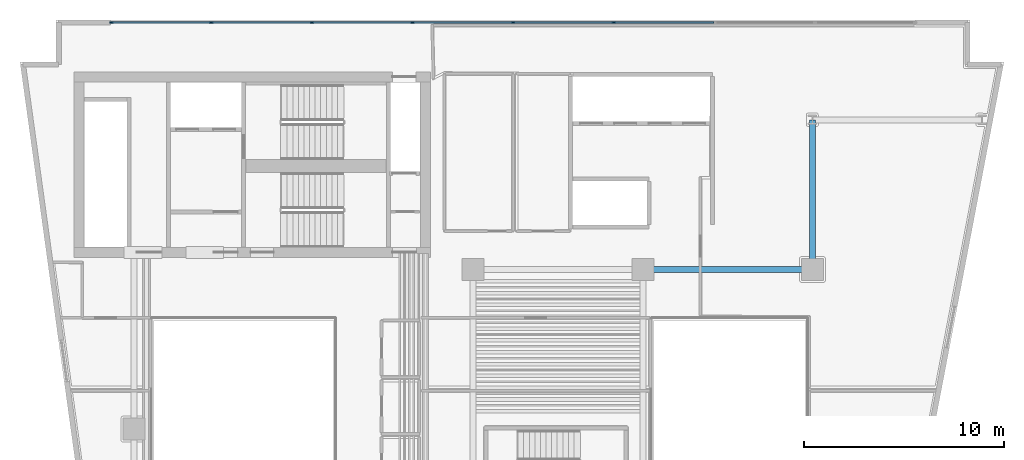
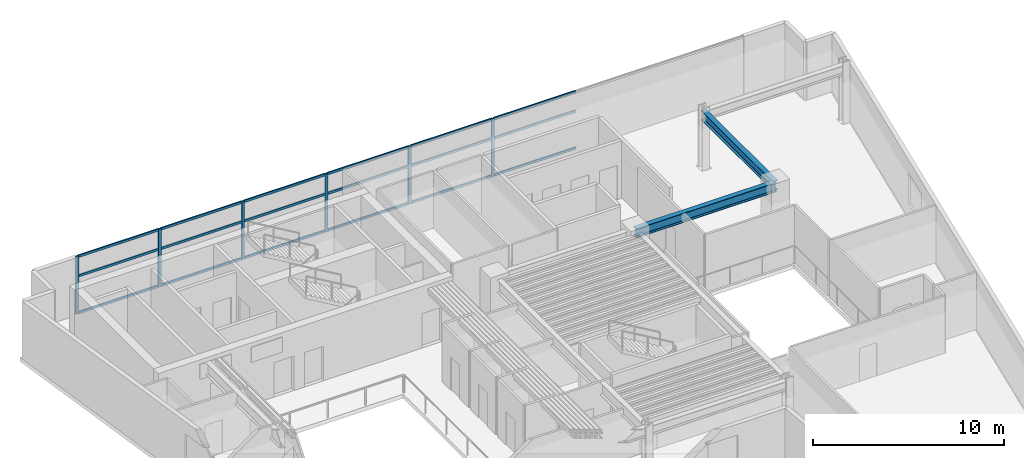
# One storey, part 3 of 13: 24 members, 2 beams, 1 element without a shape of its own.
"""IFC4 building model written with IfcOpenShell, lengths in metres."""

from ifc_helpers import new_model, si_unit, direction, frame, origin, origin_2d, place, context, subcontext, project, spatial, rectangle, i_section, extrude, material, layer, layer_set, material_profile, profile_set, type_object, element, aggregate, save


model = new_model("IFC4")

# Units and contexts
model_context = context("Model", 3, precision=1e-05, world=origin(), true_north=direction((0.0, 1.0)))
body_context = subcontext(model_context, "Body", "Model", "MODEL_VIEW")
ifc_project = project(units=[si_unit("LENGTHUNIT", "METRE"), si_unit("AREAUNIT", "SQUARE_METRE"), si_unit("VOLUMEUNIT", "CUBIC_METRE"), si_unit("PLANEANGLEUNIT", "RADIAN"), si_unit("MASSUNIT", "GRAM", prefix="KILO")], contexts=[model_context])

# Site, building, storey
site_placement = place(None, origin())
site = spatial("IfcSite", under=ifc_project, at=site_placement, CompositionType="ELEMENT")
building_placement = place(site_placement, origin())
building = spatial("IfcBuilding", under=site, at=building_placement, Name="Caeloran Harvest Quay", CompositionType="ELEMENT")
storey_placement = place(building_placement, frame((0.0, 0.0, 139.050048828125)))
storey = spatial("IfcBuildingStorey", under=building, at=storey_placement, Name="L32", CompositionType="ELEMENT", Elevation=139.050048828125)

# Beams
ifc_material_1 = material(Name="Steel S355J2", Category="steel")
ifc_material_profile_1 = material_profile(ifc_material_1, i_section(OverallWidth=0.300048828125, OverallDepth=0.60009765625, WebThickness=0.015380859375, FlangeThickness=0.030029296875, FilletRadius=0.027099609375, at=origin_2d()), Name="HE 600 B")
ifc_profile_set_1 = profile_set([ifc_material_profile_1], Name="Steel S355J2")
beam_type = type_object("IfcBeamType", Name="BM-PG-3-HE_600_B", PredefinedType="BEAM", material=ifc_profile_set_1)
beam_1_placement = place(storey_placement, frame((34.0, 31.0, 3.389892578125), z_axis=(1.0, 0.0, 0.0), x_axis=(0.0, 1.0, 0.0)))
element("IfcBeam", 1, at=beam_1_placement, inside=storey, type_object=beam_type, Name="L32 Primary East-West Girder Y=31.0", PredefinedType="BEAM", context=body_context, shape_type="SweptSolid", body=[
    extrude(i_section(OverallWidth=0.300048828125, OverallDepth=0.60009765625, WebThickness=0.015380859375, FlangeThickness=0.030029296875, FilletRadius=0.027099609375, at=origin_2d()), origin(), (0.0, 0.0, 1.0), 8.5),
])
beam_2_placement = place(storey_placement, frame((42.5, 31.0, 3.389892578125), z_axis=(0.0, 1.0, 0.0), x_axis=(-1.0, 0.0, 0.0)))
element("IfcBeam", 2, at=beam_2_placement, inside=storey, type_object=beam_type, Name="L32 Primary North-South Girder X=42.5", PredefinedType="BEAM", context=body_context, shape_type="SweptSolid", body=[
    extrude(i_section(OverallWidth=0.300048828125, OverallDepth=0.60009765625, WebThickness=0.015380859375, FlangeThickness=0.030029296875, FilletRadius=0.027099609375, at=origin_2d()), origin(), (0.0, 0.0, 1.0), 7.5),
])

# Curtain wall, members
ifc_material_2 = material(Name="Aluminium 6063-T6 and Low-E Glazing", Category="aluminium")
ifc_layer = layer(ifc_material_2, 0.18994140625, Name="Aluminium 6063-T6 and Low-E Glazing")
ifc_layer_set = layer_set([ifc_layer], Name="Aluminium 6063-T6 and Low-E Glazing")
curtain_wall_type = type_object("IfcCurtainWallType", Name="CW-SYS-CW-3", PredefinedType="USERDEFINED", material=ifc_layer_set)
curtain_wall_placement = place(storey_placement, origin())
curtain_wall = element("IfcCurtainWall", 3, at=curtain_wall_placement, inside=storey, type_object=curtain_wall_type, Name="L32 Unitised Curtain Wall CW-3 Run 6", ObjectType="CURTAIN_WALL", PredefinedType="USERDEFINED")
ifc_material_3 = material(Name="Aluminium 6063-T6", Category="aluminium")
ifc_material_profile_2 = material_profile(ifc_material_3, rectangle(XDim=0.080078125, YDim=0.179931640625, at=origin_2d()), Name="CW-MULLION-180")
ifc_profile_set_2 = profile_set([ifc_material_profile_2], Name="Aluminium 6063-T6")
member_type_1 = type_object("IfcMemberType", Name="CW-MULLION-180", PredefinedType="MULLION", material=ifc_profile_set_2)
member_1_placement = place(storey_placement, frame((7.3701171875, 43.3701171875, 0.0), z_axis=(0.0, 0.0, 1.0), x_axis=(0.0, 1.0, 0.0)))
member_1 = element("IfcMember", 4, at=member_1_placement, type_object=member_type_1, Name="CW-3 mullion 1", PredefinedType="MULLION", context=body_context, shape_type="SweptSolid", body=[
    extrude(rectangle(XDim=0.080078125, YDim=0.179931640625, at=origin_2d()), origin(), (0.0, 0.0, 1.0), 3.68994140625),
])
member_2_placement = place(storey_placement, frame((12.37255859375, 43.3701171875, 0.0), z_axis=(0.0, 0.0, 1.0), x_axis=(0.0, 1.0, 0.0)))
member_2 = element("IfcMember", 5, at=member_2_placement, type_object=member_type_1, Name="CW-3 mullion 2", PredefinedType="MULLION", context=body_context, shape_type="SweptSolid", body=[
    extrude(rectangle(XDim=0.080078125, YDim=0.179931640625, at=origin_2d()), origin(), (0.0, 0.0, 1.0), 3.68994140625),
])
member_3_placement = place(storey_placement, frame((17.4150390625, 43.3701171875, 0.0), z_axis=(0.0, 0.0, 1.0), x_axis=(0.0, 1.0, 0.0)))
member_3 = element("IfcMember", 6, at=member_3_placement, type_object=member_type_1, Name="CW-3 mullion 3", PredefinedType="MULLION", context=body_context, shape_type="SweptSolid", body=[
    extrude(rectangle(XDim=0.080078125, YDim=0.179931640625, at=origin_2d()), origin(), (0.0, 0.0, 1.0), 3.68994140625),
])
member_4_placement = place(storey_placement, frame((22.45751953125, 43.3701171875, 0.0), z_axis=(0.0, 0.0, 1.0), x_axis=(0.0, 1.0, 0.0)))
member_4 = element("IfcMember", 7, at=member_4_placement, type_object=member_type_1, Name="CW-3 mullion 4", PredefinedType="MULLION", context=body_context, shape_type="SweptSolid", body=[
    extrude(rectangle(XDim=0.080078125, YDim=0.179931640625, at=origin_2d()), origin(), (0.0, 0.0, 1.0), 3.68994140625),
])
member_5_placement = place(storey_placement, frame((27.5, 43.3701171875, 0.0), z_axis=(0.0, 0.0, 1.0), x_axis=(0.0, 1.0, 0.0)))
member_5 = element("IfcMember", 8, at=member_5_placement, type_object=member_type_1, Name="CW-3 mullion 5", PredefinedType="MULLION", context=body_context, shape_type="SweptSolid", body=[
    extrude(rectangle(XDim=0.080078125, YDim=0.179931640625, at=origin_2d()), origin(), (0.0, 0.0, 1.0), 3.68994140625),
])
member_6_placement = place(storey_placement, frame((32.54248046875, 43.3701171875, 0.0), z_axis=(0.0, 0.0, 1.0), x_axis=(0.0, 1.0, 0.0)))
member_6 = element("IfcMember", 9, at=member_6_placement, type_object=member_type_1, Name="CW-3 mullion 6", PredefinedType="MULLION", context=body_context, shape_type="SweptSolid", body=[
    extrude(rectangle(XDim=0.080078125, YDim=0.179931640625, at=origin_2d()), origin(), (0.0, 0.0, 1.0), 3.68994140625),
])
ifc_material_profile_3 = material_profile(ifc_material_3, rectangle(XDim=0.080078125, YDim=0.14990234375, at=origin_2d()), Name="CW-TRANSOM-150")
ifc_profile_set_3 = profile_set([ifc_material_profile_3], Name="Aluminium 6063-T6")
member_type_2 = type_object("IfcMemberType", Name="CW-TRANSOM-150", PredefinedType="USERDEFINED", material=ifc_profile_set_3)
member_7_placement = place(storey_placement, frame((7.409912109375, 43.3701171875, 0.0400390625), z_axis=(1.0, 0.0, 0.0), x_axis=(0.0, 1.0, 0.0)))
member_7 = element("IfcMember", 10, at=member_7_placement, type_object=member_type_2, Name="CW-3 transom 1.1", ObjectType="TRANSOM", PredefinedType="USERDEFINED", context=body_context, shape_type="SweptSolid", body=[
    extrude(rectangle(XDim=0.080078125, YDim=0.14990234375, at=origin_2d()), origin(), (0.0, 0.0, 1.0), 4.922607421875),
])
member_8_placement = place(storey_placement, frame((7.409912109375, 43.3701171875, 2.39990234375), z_axis=(1.0, 0.0, 0.0), x_axis=(0.0, 1.0, 0.0)))
member_8 = element("IfcMember", 11, at=member_8_placement, type_object=member_type_2, Name="CW-3 transom 1.2", ObjectType="TRANSOM", PredefinedType="USERDEFINED", context=body_context, shape_type="SweptSolid", body=[
    extrude(rectangle(XDim=0.080078125, YDim=0.14990234375, at=origin_2d()), origin(), (0.0, 0.0, 1.0), 4.922607421875),
])
member_9_placement = place(storey_placement, frame((7.409912109375, 43.3701171875, 3.64990234375), z_axis=(1.0, 0.0, 0.0), x_axis=(0.0, 1.0, 0.0)))
member_9 = element("IfcMember", 12, at=member_9_placement, type_object=member_type_2, Name="CW-3 transom 1.3", ObjectType="TRANSOM", PredefinedType="USERDEFINED", context=body_context, shape_type="SweptSolid", body=[
    extrude(rectangle(XDim=0.080078125, YDim=0.14990234375, at=origin_2d()), origin(), (0.0, 0.0, 1.0), 4.922607421875),
])
member_10_placement = place(storey_placement, frame((12.41259765625, 43.3701171875, 0.0400390625), z_axis=(1.0, 0.0, 0.0), x_axis=(0.0, 1.0, 0.0)))
member_10 = element("IfcMember", 13, at=member_10_placement, type_object=member_type_2, Name="CW-3 transom 2.1", ObjectType="TRANSOM", PredefinedType="USERDEFINED", context=body_context, shape_type="SweptSolid", body=[
    extrude(rectangle(XDim=0.080078125, YDim=0.14990234375, at=origin_2d()), origin(), (0.0, 0.0, 1.0), 4.96240234375),
])
member_11_placement = place(storey_placement, frame((12.41259765625, 43.3701171875, 2.39990234375), z_axis=(1.0, 0.0, 0.0), x_axis=(0.0, 1.0, 0.0)))
member_11 = element("IfcMember", 14, at=member_11_placement, type_object=member_type_2, Name="CW-3 transom 2.2", ObjectType="TRANSOM", PredefinedType="USERDEFINED", context=body_context, shape_type="SweptSolid", body=[
    extrude(rectangle(XDim=0.080078125, YDim=0.14990234375, at=origin_2d()), origin(), (0.0, 0.0, 1.0), 4.96240234375),
])
member_12_placement = place(storey_placement, frame((12.41259765625, 43.3701171875, 3.64990234375), z_axis=(1.0, 0.0, 0.0), x_axis=(0.0, 1.0, 0.0)))
member_12 = element("IfcMember", 15, at=member_12_placement, type_object=member_type_2, Name="CW-3 transom 2.3", ObjectType="TRANSOM", PredefinedType="USERDEFINED", context=body_context, shape_type="SweptSolid", body=[
    extrude(rectangle(XDim=0.080078125, YDim=0.14990234375, at=origin_2d()), origin(), (0.0, 0.0, 1.0), 4.96240234375),
])
member_13_placement = place(storey_placement, frame((17.455078125, 43.3701171875, 0.0400390625), z_axis=(1.0, 0.0, 0.0), x_axis=(0.0, 1.0, 0.0)))
member_13 = element("IfcMember", 16, at=member_13_placement, type_object=member_type_2, Name="CW-3 transom 3.1", ObjectType="TRANSOM", PredefinedType="USERDEFINED", context=body_context, shape_type="SweptSolid", body=[
    extrude(rectangle(XDim=0.080078125, YDim=0.14990234375, at=origin_2d()), origin(), (0.0, 0.0, 1.0), 4.96240234375),
])
member_14_placement = place(storey_placement, frame((17.455078125, 43.3701171875, 2.39990234375), z_axis=(1.0, 0.0, 0.0), x_axis=(0.0, 1.0, 0.0)))
member_14 = element("IfcMember", 17, at=member_14_placement, type_object=member_type_2, Name="CW-3 transom 3.2", ObjectType="TRANSOM", PredefinedType="USERDEFINED", context=body_context, shape_type="SweptSolid", body=[
    extrude(rectangle(XDim=0.080078125, YDim=0.14990234375, at=origin_2d()), origin(), (0.0, 0.0, 1.0), 4.96240234375),
])
member_15_placement = place(storey_placement, frame((17.455078125, 43.3701171875, 3.64990234375), z_axis=(1.0, 0.0, 0.0), x_axis=(0.0, 1.0, 0.0)))
member_15 = element("IfcMember", 18, at=member_15_placement, type_object=member_type_2, Name="CW-3 transom 3.3", ObjectType="TRANSOM", PredefinedType="USERDEFINED", context=body_context, shape_type="SweptSolid", body=[
    extrude(rectangle(XDim=0.080078125, YDim=0.14990234375, at=origin_2d()), origin(), (0.0, 0.0, 1.0), 4.96240234375),
])
member_16_placement = place(storey_placement, frame((22.49755859375, 43.3701171875, 0.0400390625), z_axis=(1.0, 0.0, 0.0), x_axis=(0.0, 1.0, 0.0)))
member_16 = element("IfcMember", 19, at=member_16_placement, type_object=member_type_2, Name="CW-3 transom 4.1", ObjectType="TRANSOM", PredefinedType="USERDEFINED", context=body_context, shape_type="SweptSolid", body=[
    extrude(rectangle(XDim=0.080078125, YDim=0.14990234375, at=origin_2d()), origin(), (0.0, 0.0, 1.0), 4.96240234375),
])
member_17_placement = place(storey_placement, frame((22.49755859375, 43.3701171875, 2.39990234375), z_axis=(1.0, 0.0, 0.0), x_axis=(0.0, 1.0, 0.0)))
member_17 = element("IfcMember", 20, at=member_17_placement, type_object=member_type_2, Name="CW-3 transom 4.2", ObjectType="TRANSOM", PredefinedType="USERDEFINED", context=body_context, shape_type="SweptSolid", body=[
    extrude(rectangle(XDim=0.080078125, YDim=0.14990234375, at=origin_2d()), origin(), (0.0, 0.0, 1.0), 4.96240234375),
])
member_18_placement = place(storey_placement, frame((22.49755859375, 43.3701171875, 3.64990234375), z_axis=(1.0, 0.0, 0.0), x_axis=(0.0, 1.0, 0.0)))
member_18 = element("IfcMember", 21, at=member_18_placement, type_object=member_type_2, Name="CW-3 transom 4.3", ObjectType="TRANSOM", PredefinedType="USERDEFINED", context=body_context, shape_type="SweptSolid", body=[
    extrude(rectangle(XDim=0.080078125, YDim=0.14990234375, at=origin_2d()), origin(), (0.0, 0.0, 1.0), 4.96240234375),
])
member_19_placement = place(storey_placement, frame((27.5400390625, 43.3701171875, 0.0400390625), z_axis=(1.0, 0.0, 0.0), x_axis=(0.0, 1.0, 0.0)))
member_19 = element("IfcMember", 22, at=member_19_placement, type_object=member_type_2, Name="CW-3 transom 5.1", ObjectType="TRANSOM", PredefinedType="USERDEFINED", context=body_context, shape_type="SweptSolid", body=[
    extrude(rectangle(XDim=0.080078125, YDim=0.14990234375, at=origin_2d()), origin(), (0.0, 0.0, 1.0), 4.96240234375),
])
member_20_placement = place(storey_placement, frame((27.5400390625, 43.3701171875, 2.39990234375), z_axis=(1.0, 0.0, 0.0), x_axis=(0.0, 1.0, 0.0)))
member_20 = element("IfcMember", 23, at=member_20_placement, type_object=member_type_2, Name="CW-3 transom 5.2", ObjectType="TRANSOM", PredefinedType="USERDEFINED", context=body_context, shape_type="SweptSolid", body=[
    extrude(rectangle(XDim=0.080078125, YDim=0.14990234375, at=origin_2d()), origin(), (0.0, 0.0, 1.0), 4.96240234375),
])
member_21_placement = place(storey_placement, frame((27.5400390625, 43.3701171875, 3.64990234375), z_axis=(1.0, 0.0, 0.0), x_axis=(0.0, 1.0, 0.0)))
member_21 = element("IfcMember", 24, at=member_21_placement, type_object=member_type_2, Name="CW-3 transom 5.3", ObjectType="TRANSOM", PredefinedType="USERDEFINED", context=body_context, shape_type="SweptSolid", body=[
    extrude(rectangle(XDim=0.080078125, YDim=0.14990234375, at=origin_2d()), origin(), (0.0, 0.0, 1.0), 4.96240234375),
])
member_22_placement = place(storey_placement, frame((32.58251953125, 43.3701171875, 0.0400390625), z_axis=(1.0, 0.0, 0.0), x_axis=(0.0, 1.0, 0.0)))
member_22 = element("IfcMember", 25, at=member_22_placement, type_object=member_type_2, Name="CW-3 transom 6.1", ObjectType="TRANSOM", PredefinedType="USERDEFINED", context=body_context, shape_type="SweptSolid", body=[
    extrude(rectangle(XDim=0.080078125, YDim=0.14990234375, at=origin_2d()), origin(), (0.0, 0.0, 1.0), 4.96240234375),
])
member_23_placement = place(storey_placement, frame((32.58251953125, 43.3701171875, 2.39990234375), z_axis=(1.0, 0.0, 0.0), x_axis=(0.0, 1.0, 0.0)))
member_23 = element("IfcMember", 26, at=member_23_placement, type_object=member_type_2, Name="CW-3 transom 6.2", ObjectType="TRANSOM", PredefinedType="USERDEFINED", context=body_context, shape_type="SweptSolid", body=[
    extrude(rectangle(XDim=0.080078125, YDim=0.14990234375, at=origin_2d()), origin(), (0.0, 0.0, 1.0), 4.96240234375),
])
member_24_placement = place(storey_placement, frame((32.58251953125, 43.3701171875, 3.64990234375), z_axis=(1.0, 0.0, 0.0), x_axis=(0.0, 1.0, 0.0)))
member_24 = element("IfcMember", 27, at=member_24_placement, type_object=member_type_2, Name="CW-3 transom 6.3", ObjectType="TRANSOM", PredefinedType="USERDEFINED", context=body_context, shape_type="SweptSolid", body=[
    extrude(rectangle(XDim=0.080078125, YDim=0.14990234375, at=origin_2d()), origin(), (0.0, 0.0, 1.0), 4.96240234375),
])
aggregate(curtain_wall, [member_1, member_2, member_3, member_4, member_5, member_6, member_7, member_8, member_9, member_10, member_11, member_12, member_13, member_14, member_15, member_16, member_17, member_18, member_19, member_20, member_21, member_22, member_23, member_24])

save(model, "model.ifc")
